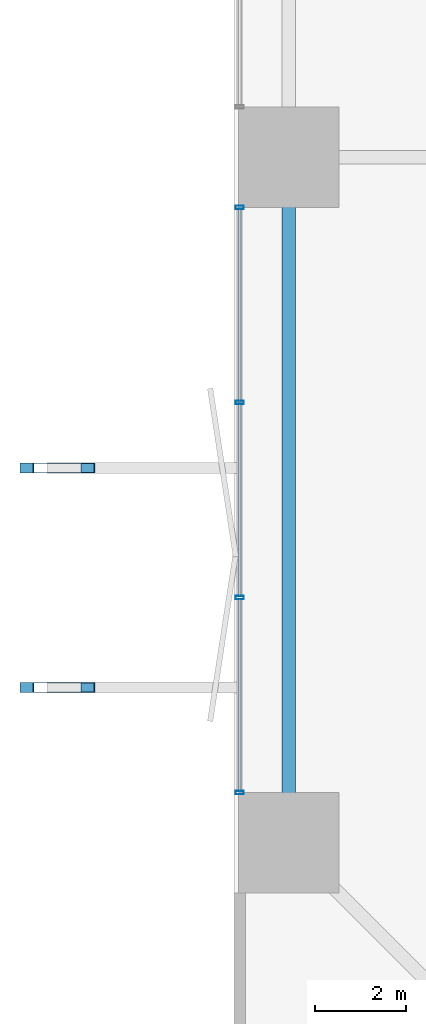
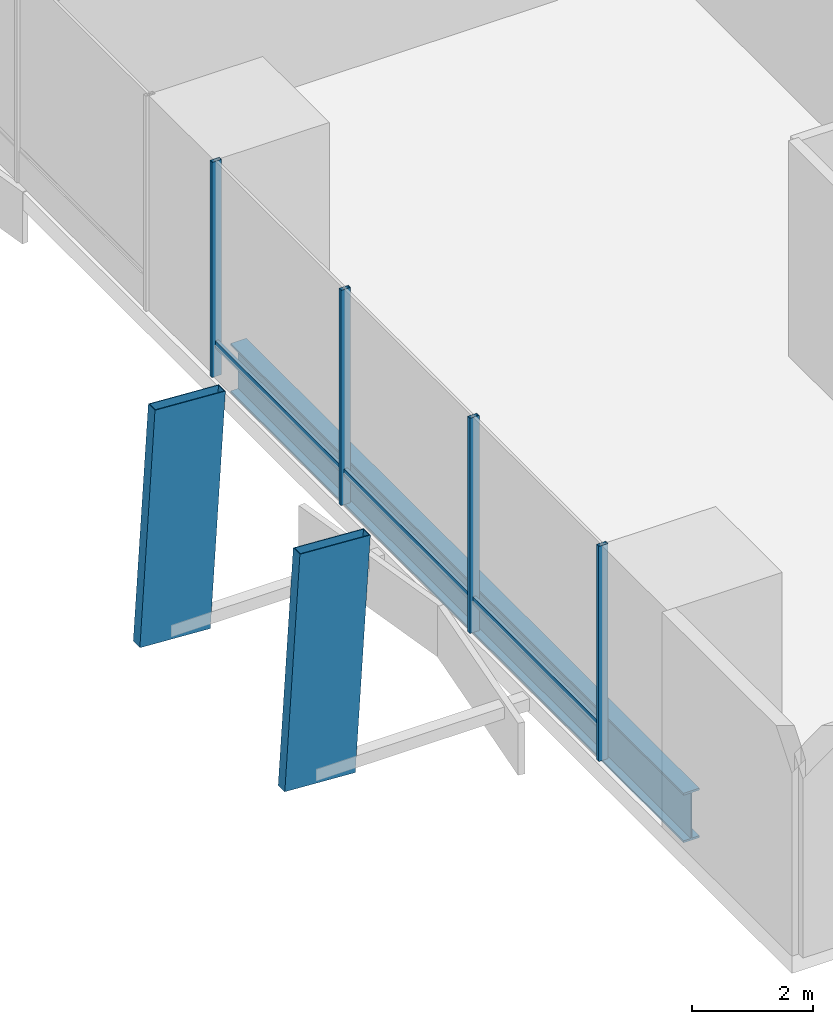
# One storey, part 4 of 24: 9 members, 1 beam, 1 element without a shape of its own.
"""IFC4 building model written with IfcOpenShell, lengths in metres."""

from ifc_helpers import new_model, si_unit, direction, frame, origin, origin_2d, place, context, subcontext, project, spatial, hollow_rectangle, i_section, extrude, material, layer, layer_set, material_profile, profile_set, type_object, element, aggregate, save


model = new_model("IFC4")

# Units and contexts
model_context = context("Model", 3, precision=1e-05, world=origin(), true_north=direction((0.0, 1.0)))
body_context = subcontext(model_context, "Body", "Model", "MODEL_VIEW")
ifc_project = project(units=[si_unit("LENGTHUNIT", "METRE"), si_unit("AREAUNIT", "SQUARE_METRE"), si_unit("VOLUMEUNIT", "CUBIC_METRE"), si_unit("PLANEANGLEUNIT", "RADIAN"), si_unit("MASSUNIT", "GRAM", prefix="KILO")], contexts=[model_context])

# Site, building, storey
site_placement = place(None, origin())
site = spatial("IfcSite", under=ifc_project, at=site_placement, CompositionType="ELEMENT")
building_placement = place(site_placement, origin())
building = spatial("IfcBuilding", under=site, at=building_placement, Name="Belovzor Exchange Tower", CompositionType="ELEMENT")
storey_placement = place(building_placement, frame((0.0, 0.0, 19.199951171875)))
storey = spatial("IfcBuildingStorey", under=building, at=storey_placement, Name="L04", CompositionType="ELEMENT", Elevation=19.199951171875)

# Members
ifc_material_1 = material(Name="Extruded Architectural Terracotta on Steel S355 Carrier", Category="masonry")
ifc_material_profile_1 = material_profile(ifc_material_1, hollow_rectangle(XDim=0.219970703125, YDim=1.35009765625, WallThickness=0.013916015625, at=origin_2d()))
ifc_profile_set_1 = profile_set([ifc_material_profile_1], Name="Extruded Architectural Terracotta on Steel S355 Carrier")
member_type_1 = type_object("IfcMemberType", Name="Base Arc Sweeping Terracotta Pylon Fin 1450", PredefinedType="USERDEFINED", material=ifc_profile_set_1)
for number, where, z_axis, x_axis, name in (
    (1, (-3.402099609375, 17.199951171875, -0.349853515625), (0.061387304598, 0.0, 0.998114020959), (0.0, 1.0, 0.0), "FIN-TC145 Terracotta Facade Fin L04 W1"),
    (2, (-3.402099609375, 22.0, -0.349853515625), (0.061387304598, 0.0, 0.998114020959), (0.0, 1.0, 0.0), "FIN-TC145 Terracotta Facade Fin L04 W2"),
):
    element("IfcMember", number, at=place(storey_placement, frame(where, z_axis=z_axis, x_axis=x_axis)), inside=storey, type_object=member_type_1, Name=name, ObjectType="FIN", PredefinedType="USERDEFINED", context=body_context, shape_type="SweptSolid", body=[
        extrude(hollow_rectangle(XDim=0.219970703125, YDim=1.35009765625, WallThickness=0.013916015625, at=origin_2d()), origin(), (0.0, 0.0, 1.0), 4.708740234375),
    ])

# Beam
ifc_material_2 = material(Name="Steel S460", Category="steel")
ifc_material_profile_2 = material_profile(ifc_material_2, i_section(OverallWidth=0.300048828125, OverallDepth=1.0, WebThickness=0.02099609375, FlangeThickness=0.0400390625, at=origin_2d()))
ifc_profile_set_2 = profile_set([ifc_material_profile_2], Name="Steel S460")
beam_type = type_object("IfcBeamType", Name="Podium Exchange Hall Ring Girder HEM 1000", PredefinedType="BEAM", material=ifc_profile_set_2)
beam_placement = place(storey_placement, frame((1.800048828125, 28.800048828125, -0.849853515625), z_axis=(0.0, -1.0, 0.0), x_axis=(1.0, 0.0, 0.0)))
element("IfcBeam", 3, at=beam_placement, inside=storey, type_object=beam_type, Name="PG-1 Podium Exchange Hall Ring Girder HEM 1000", PredefinedType="BEAM", context=body_context, shape_type="SweptSolid", body=[
    extrude(i_section(OverallWidth=0.300048828125, OverallDepth=1.0, WebThickness=0.02099609375, FlangeThickness=0.0400390625, at=origin_2d()), origin(), (0.0, 0.0, 1.0), 15.0),
])

# Curtain wall, members
ifc_material_3 = material(Name="Anodised Aluminium Framing", Category="aluminium")
ifc_layer = layer(ifc_material_3, 0.2099609375)
ifc_layer_set = layer_set([ifc_layer], Name="Anodised Aluminium Framing")
curtain_wall_type = type_object("IfcCurtainWallType", Name="Double-Height Concourse & Gallery Curtain Wall", PredefinedType="NOTDEFINED", material=ifc_layer_set)
curtain_wall_placement = place(storey_placement, origin())
curtain_wall = element("IfcCurtainWall", 4, at=curtain_wall_placement, inside=storey, type_object=curtain_wall_type, Name="CW2 Double-Height Concourse & Gallery Curtain Wall L04", PredefinedType="NOTDEFINED")
ifc_material_4 = material(Name="Steel S355", Category="steel")
ifc_material_profile_3 = material_profile(ifc_material_4, hollow_rectangle(XDim=0.074951171875, YDim=0.179931640625, WallThickness=0.0048828125, at=origin_2d()))
ifc_profile_set_3 = profile_set([ifc_material_profile_3], Name="Steel S355")
member_type_2 = type_object("IfcMemberType", Name="Thermally Broken Curtain Wall Mullion 180x75", PredefinedType="MULLION", material=ifc_profile_set_3)
member_1_placement = place(storey_placement, frame((0.72998046875, 14.89990234375, 0.0), z_axis=(0.0, 0.0, 1.0), x_axis=(0.0, 1.0, 0.0)))
member_1 = element("IfcMember", 5, at=member_1_placement, type_object=member_type_2, Name="CW-M180 Curtain Wall Mullion 1", PredefinedType="MULLION", context=body_context, shape_type="SweptSolid", body=[
    extrude(hollow_rectangle(XDim=0.074951171875, YDim=0.179931640625, WallThickness=0.0048828125, at=origin_2d()), origin(), (0.0, 0.0, 1.0), 4.35009765625),
])
member_2_placement = place(storey_placement, frame((0.72998046875, 19.1669921875, 0.0), z_axis=(0.0, 0.0, 1.0), x_axis=(0.0, 1.0, 0.0)))
member_2 = element("IfcMember", 6, at=member_2_placement, type_object=member_type_2, Name="CW-M180 Curtain Wall Mullion 2", PredefinedType="MULLION", context=body_context, shape_type="SweptSolid", body=[
    extrude(hollow_rectangle(XDim=0.074951171875, YDim=0.179931640625, WallThickness=0.0048828125, at=origin_2d()), origin(), (0.0, 0.0, 1.0), 4.35009765625),
])
member_3_placement = place(storey_placement, frame((0.72998046875, 23.43310546875, 0.0), z_axis=(0.0, 0.0, 1.0), x_axis=(0.0, 1.0, 0.0)))
member_3 = element("IfcMember", 7, at=member_3_placement, type_object=member_type_2, Name="CW-M180 Curtain Wall Mullion 3", PredefinedType="MULLION", context=body_context, shape_type="SweptSolid", body=[
    extrude(hollow_rectangle(XDim=0.074951171875, YDim=0.179931640625, WallThickness=0.0048828125, at=origin_2d()), origin(), (0.0, 0.0, 1.0), 4.35009765625),
])
member_4_placement = place(storey_placement, frame((0.72998046875, 27.699951171875, 0.0), z_axis=(0.0, 0.0, 1.0), x_axis=(0.0, 1.0, 0.0)))
member_4 = element("IfcMember", 8, at=member_4_placement, type_object=member_type_2, Name="CW-M180 Curtain Wall Mullion 4", PredefinedType="MULLION", context=body_context, shape_type="SweptSolid", body=[
    extrude(hollow_rectangle(XDim=0.074951171875, YDim=0.179931640625, WallThickness=0.0048828125, at=origin_2d()), origin(), (0.0, 0.0, 1.0), 4.35009765625),
])
ifc_material_5 = material(Name="Steel S355", Category="steel")
ifc_material_profile_4 = material_profile(ifc_material_5, hollow_rectangle(XDim=0.06005859375, YDim=0.14990234375, WallThickness=0.00390625, at=origin_2d()))
ifc_profile_set_4 = profile_set([ifc_material_profile_4], Name="Steel S355")
member_type_3 = type_object("IfcMemberType", Name="Thermally Broken Curtain Wall Transom 150x60", PredefinedType="USERDEFINED", material=ifc_profile_set_4)
member_5_placement = place(storey_placement, frame((0.72998046875, 14.907958984375, 0.650146484375), z_axis=(0.0, 1.0, 0.0), x_axis=(-1.0, 0.0, 0.0)))
member_5 = element("IfcMember", 9, at=member_5_placement, type_object=member_type_3, Name="CW-T150 Curtain Wall Transom 1", ObjectType="TRANSOM", PredefinedType="USERDEFINED", context=body_context, shape_type="SweptSolid", body=[
    extrude(hollow_rectangle(XDim=0.06005859375, YDim=0.14990234375, WallThickness=0.00390625, at=origin_2d()), origin(), (0.0, 0.0, 1.0), 4.2509765625),
])
member_6_placement = place(storey_placement, frame((0.72998046875, 19.175048828125, 0.650146484375), z_axis=(0.0, 1.0, 0.0), x_axis=(-1.0, 0.0, 0.0)))
member_6 = element("IfcMember", 10, at=member_6_placement, type_object=member_type_3, Name="CW-T150 Curtain Wall Transom 2", ObjectType="TRANSOM", PredefinedType="USERDEFINED", context=body_context, shape_type="SweptSolid", body=[
    extrude(hollow_rectangle(XDim=0.06005859375, YDim=0.14990234375, WallThickness=0.00390625, at=origin_2d()), origin(), (0.0, 0.0, 1.0), 4.25),
])
member_7_placement = place(storey_placement, frame((0.72998046875, 23.44091796875, 0.650146484375), z_axis=(0.0, 1.0, 0.0), x_axis=(-1.0, 0.0, 0.0)))
member_7 = element("IfcMember", 11, at=member_7_placement, type_object=member_type_3, Name="CW-T150 Curtain Wall Transom 3", ObjectType="TRANSOM", PredefinedType="USERDEFINED", context=body_context, shape_type="SweptSolid", body=[
    extrude(hollow_rectangle(XDim=0.06005859375, YDim=0.14990234375, WallThickness=0.00390625, at=origin_2d()), origin(), (0.0, 0.0, 1.0), 4.2509765625),
])
aggregate(curtain_wall, [member_1, member_2, member_3, member_4, member_5, member_6, member_7])

save(model, "model.ifc")
